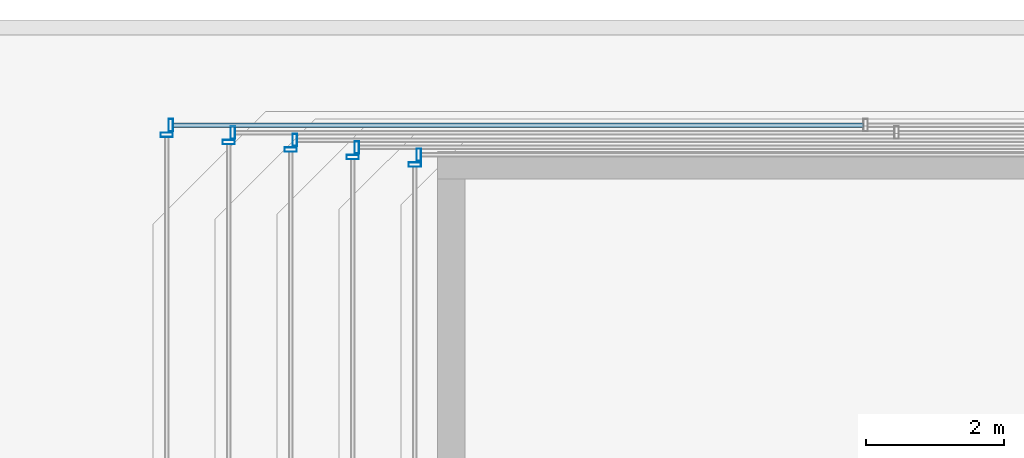
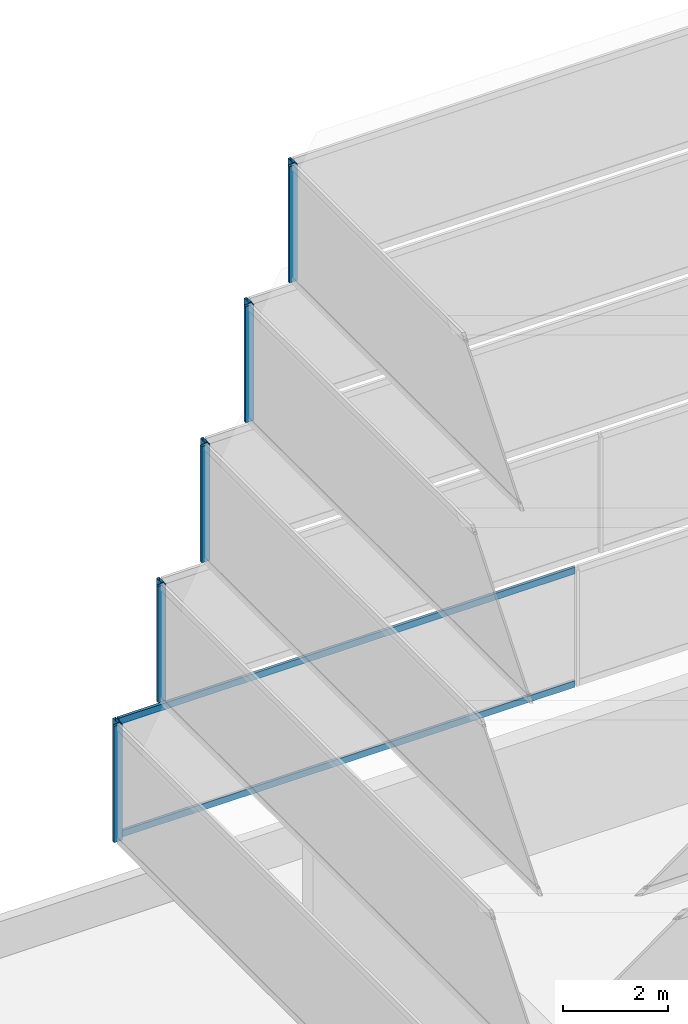
# One storey, part 12 of 29: 12 members, 10 elements without a shape of their own.
"""IFC4 building model written with IfcOpenShell, lengths in metres."""

from ifc_helpers import new_model, si_unit, direction, frame, origin, origin_2d, place, context, subcontext, project, spatial, hollow_rectangle, extrude, material, material_profile, profile_set, type_object, element, aggregate, save


model = new_model("IFC4")

# Units and contexts
model_context = context("Model", 3, precision=1e-05, world=origin(), true_north=direction((0.0, 1.0)))
body_context = subcontext(model_context, "Body", "Model", "MODEL_VIEW")
ifc_project = project(units=[si_unit("LENGTHUNIT", "METRE"), si_unit("AREAUNIT", "SQUARE_METRE"), si_unit("VOLUMEUNIT", "CUBIC_METRE"), si_unit("PLANEANGLEUNIT", "RADIAN"), si_unit("MASSUNIT", "GRAM", prefix="KILO")], contexts=[model_context])

# Site, building, storey
site_placement = place(None, origin())
site = spatial("IfcSite", under=ifc_project, at=site_placement, CompositionType="ELEMENT")
building_placement = place(site_placement, origin())
building = spatial("IfcBuilding", under=site, at=building_placement, Name="Saevonmaru Cultural Tower", CompositionType="ELEMENT")
storey_placement = place(building_placement, frame((0.0, 0.0, 327.60009765625)))
storey = spatial("IfcBuildingStorey", under=building, at=storey_placement, Name="RF", CompositionType="ELEMENT", Elevation=327.60009765625)

# Curtain wall, member
ifc_material = material(Name="Satin Bronze Anodised Aluminium", Category="aluminium")
curtain_wall_type = type_object("IfcCurtainWallType", Name="CW-TYP-B", PredefinedType="NOTDEFINED", material=ifc_material)
curtain_wall_1_placement = place(storey_placement, origin())
curtain_wall_1 = element("IfcCurtainWall", 1, at=curtain_wall_1_placement, inside=storey, type_object=curtain_wall_type, Name="RF Ziggurat Crown Tier 2 Bronze Louvre Screen 3", PredefinedType="NOTDEFINED")
ifc_material_profile_1 = material_profile(ifc_material, hollow_rectangle(XDim=0.06494140625, YDim=0.179931640625, WallThickness=0.00390625, at=origin_2d()), Name="ALU-MULL-180x65x4")
ifc_profile_set_1 = profile_set([ifc_material_profile_1], Name="Satin Bronze Anodised Aluminium")
member_type_1 = type_object("IfcMemberType", Name="ML-CW-180x65", PredefinedType="MULLION", material=ifc_profile_set_1)
member_1_placement = place(storey_placement, frame((9.8330078125, 54.583984375, 3.0), z_axis=(0.0, 0.0, 1.0), x_axis=(-1.0, 0.0, 0.0)))
member_1 = element("IfcMember", 2, at=member_1_placement, type_object=member_type_1, Name="CW-CROWN-T2-3 mullion 5", PredefinedType="MULLION", context=body_context, shape_type="SweptSolid", body=[
    extrude(hollow_rectangle(XDim=0.06494140625, YDim=0.179931640625, WallThickness=0.00390625, at=origin_2d()), origin(), (0.0, 0.0, 1.0), 2.699951171875),
])

curtain_wall_2_placement = place(storey_placement, origin())
curtain_wall_2 = element("IfcCurtainWall", 3, at=curtain_wall_2_placement, inside=storey, type_object=curtain_wall_type, Name="RF Ziggurat Crown Tier 2 Bronze Louvre Screen 4", PredefinedType="NOTDEFINED")
member_2_placement = place(storey_placement, frame((9.77294921875, 54.444091796875, 3.0), z_axis=(0.0, 0.0, 1.0), x_axis=(0.0, -1.0, 0.0)))
member_2 = element("IfcMember", 4, at=member_2_placement, type_object=member_type_1, Name="CW-CROWN-T2-4 mullion 1", PredefinedType="MULLION", context=body_context, shape_type="SweptSolid", body=[
    extrude(hollow_rectangle(XDim=0.06494140625, YDim=0.179931640625, WallThickness=0.00390625, at=origin_2d()), origin(), (0.0, 0.0, 1.0), 2.699951171875),
])
aggregate(curtain_wall_2, [member_2])

curtain_wall_3_placement = place(storey_placement, origin())
curtain_wall_3 = element("IfcCurtainWall", 5, at=curtain_wall_3_placement, inside=storey, type_object=curtain_wall_type, Name="RF Ziggurat Crown Tier 3 Bronze Louvre Screen 3", PredefinedType="NOTDEFINED")
member_3_placement = place(storey_placement, frame((10.73291015625, 54.47607421875, 6.0), z_axis=(0.0, 0.0, 1.0), x_axis=(-1.0, 0.0, 0.0)))
member_3 = element("IfcMember", 6, at=member_3_placement, type_object=member_type_1, Name="CW-CROWN-T3-3 mullion 5", PredefinedType="MULLION", context=body_context, shape_type="SweptSolid", body=[
    extrude(hollow_rectangle(XDim=0.06494140625, YDim=0.179931640625, WallThickness=0.00390625, at=origin_2d()), origin(), (0.0, 0.0, 1.0), 2.699951171875),
])
aggregate(curtain_wall_3, [member_3])

curtain_wall_4_placement = place(storey_placement, origin())
curtain_wall_4 = element("IfcCurtainWall", 7, at=curtain_wall_4_placement, inside=storey, type_object=curtain_wall_type, Name="RF Ziggurat Crown Tier 3 Bronze Louvre Screen 4", PredefinedType="NOTDEFINED")
member_4_placement = place(storey_placement, frame((10.673095703125, 54.3359375, 6.0), z_axis=(0.0, 0.0, 1.0), x_axis=(0.0, -1.0, 0.0)))
member_4 = element("IfcMember", 8, at=member_4_placement, type_object=member_type_1, Name="CW-CROWN-T3-4 mullion 1", PredefinedType="MULLION", context=body_context, shape_type="SweptSolid", body=[
    extrude(hollow_rectangle(XDim=0.06494140625, YDim=0.179931640625, WallThickness=0.00390625, at=origin_2d()), origin(), (0.0, 0.0, 1.0), 2.699951171875),
])
aggregate(curtain_wall_4, [member_4])

curtain_wall_5_placement = place(storey_placement, origin())
curtain_wall_5 = element("IfcCurtainWall", 9, at=curtain_wall_5_placement, inside=storey, type_object=curtain_wall_type, Name="RF Ziggurat Crown Tier 4 Bronze Louvre Screen 3", PredefinedType="NOTDEFINED")
member_5_placement = place(storey_placement, frame((11.633056640625, 54.367919921875, 9.0), z_axis=(0.0, 0.0, 1.0), x_axis=(-1.0, 0.0, 0.0)))
member_5 = element("IfcMember", 10, at=member_5_placement, type_object=member_type_1, Name="CW-CROWN-T4-3 mullion 4", PredefinedType="MULLION", context=body_context, shape_type="SweptSolid", body=[
    extrude(hollow_rectangle(XDim=0.06494140625, YDim=0.179931640625, WallThickness=0.00390625, at=origin_2d()), origin(), (0.0, 0.0, 1.0), 2.699951171875),
])
aggregate(curtain_wall_5, [member_5])

curtain_wall_6_placement = place(storey_placement, origin())
curtain_wall_6 = element("IfcCurtainWall", 11, at=curtain_wall_6_placement, inside=storey, type_object=curtain_wall_type, Name="RF Ziggurat Crown Tier 4 Bronze Louvre Screen 4", PredefinedType="NOTDEFINED")
member_6_placement = place(storey_placement, frame((11.572998046875, 54.22802734375, 9.0), z_axis=(0.0, 0.0, 1.0), x_axis=(0.0, -1.0, 0.0)))
member_6 = element("IfcMember", 12, at=member_6_placement, type_object=member_type_1, Name="CW-CROWN-T4-4 mullion 1", PredefinedType="MULLION", context=body_context, shape_type="SweptSolid", body=[
    extrude(hollow_rectangle(XDim=0.06494140625, YDim=0.179931640625, WallThickness=0.00390625, at=origin_2d()), origin(), (0.0, 0.0, 1.0), 2.699951171875),
])
aggregate(curtain_wall_6, [member_6])

curtain_wall_7_placement = place(storey_placement, origin())
curtain_wall_7 = element("IfcCurtainWall", 13, at=curtain_wall_7_placement, inside=storey, type_object=curtain_wall_type, Name="RF Ziggurat Crown Tier 5 Bronze Louvre Screen 3", PredefinedType="NOTDEFINED")
member_7_placement = place(storey_placement, frame((12.532958984375, 54.260009765625, 12.0), z_axis=(0.0, 0.0, 1.0), x_axis=(-1.0, 0.0, 0.0)))
member_7 = element("IfcMember", 14, at=member_7_placement, type_object=member_type_1, Name="CW-CROWN-T5-3 mullion 4", PredefinedType="MULLION", context=body_context, shape_type="SweptSolid", body=[
    extrude(hollow_rectangle(XDim=0.06494140625, YDim=0.179931640625, WallThickness=0.00390625, at=origin_2d()), origin(), (0.0, 0.0, 1.0), 2.699951171875),
])
aggregate(curtain_wall_7, [member_7])

curtain_wall_8_placement = place(storey_placement, origin())
curtain_wall_8 = element("IfcCurtainWall", 15, at=curtain_wall_8_placement, inside=storey, type_object=curtain_wall_type, Name="RF Ziggurat Crown Tier 5 Bronze Louvre Screen 4", PredefinedType="NOTDEFINED")
member_8_placement = place(storey_placement, frame((12.472900390625, 54.1201171875, 12.0), z_axis=(0.0, 0.0, 1.0), x_axis=(0.0, -1.0, 0.0)))
member_8 = element("IfcMember", 16, at=member_8_placement, type_object=member_type_1, Name="CW-CROWN-T5-4 mullion 1", PredefinedType="MULLION", context=body_context, shape_type="SweptSolid", body=[
    extrude(hollow_rectangle(XDim=0.06494140625, YDim=0.179931640625, WallThickness=0.00390625, at=origin_2d()), origin(), (0.0, 0.0, 1.0), 2.699951171875),
])
aggregate(curtain_wall_8, [member_8])

curtain_wall_9_placement = place(storey_placement, origin())
curtain_wall_9 = element("IfcCurtainWall", 17, at=curtain_wall_9_placement, inside=storey, type_object=curtain_wall_type, Name="RF Ziggurat Crown Tier 6 Bronze Louvre Screen 3", PredefinedType="NOTDEFINED")
member_9_placement = place(storey_placement, frame((13.43310546875, 54.152099609375, 15.0), z_axis=(0.0, 0.0, 1.0), x_axis=(-1.0, 0.0, 0.0)))
member_9 = element("IfcMember", 18, at=member_9_placement, type_object=member_type_1, Name="CW-CROWN-T6-3 mullion 4", PredefinedType="MULLION", context=body_context, shape_type="SweptSolid", body=[
    extrude(hollow_rectangle(XDim=0.06494140625, YDim=0.179931640625, WallThickness=0.00390625, at=origin_2d()), origin(), (0.0, 0.0, 1.0), 2.699951171875),
])
aggregate(curtain_wall_9, [member_9])

curtain_wall_10_placement = place(storey_placement, origin())
curtain_wall_10 = element("IfcCurtainWall", 19, at=curtain_wall_10_placement, inside=storey, type_object=curtain_wall_type, Name="RF Ziggurat Crown Tier 6 Bronze Louvre Screen 4", PredefinedType="NOTDEFINED")
member_10_placement = place(storey_placement, frame((13.373046875, 54.011962890625, 15.0), z_axis=(0.0, 0.0, 1.0), x_axis=(0.0, -1.0, 0.0)))
member_10 = element("IfcMember", 20, at=member_10_placement, type_object=member_type_1, Name="CW-CROWN-T6-4 mullion 1", PredefinedType="MULLION", context=body_context, shape_type="SweptSolid", body=[
    extrude(hollow_rectangle(XDim=0.06494140625, YDim=0.179931640625, WallThickness=0.00390625, at=origin_2d()), origin(), (0.0, 0.0, 1.0), 2.699951171875),
])
aggregate(curtain_wall_10, [member_10])

# Member
ifc_material_profile_2 = material_profile(ifc_material, hollow_rectangle(XDim=0.06494140625, YDim=0.14990234375, WallThickness=0.00390625, at=origin_2d()), Name="ALU-TRAN-150x65x4")
ifc_profile_set_2 = profile_set([ifc_material_profile_2], Name="Satin Bronze Anodised Aluminium")
member_type_2 = type_object("IfcMemberType", Name="TR-CW-150x65", PredefinedType="USERDEFINED", material=ifc_profile_set_2)
member_11_placement = place(storey_placement, frame((19.884033203125, 54.583984375, 3.032470703125), z_axis=(-1.0, 0.0, 0.0), x_axis=(0.0, -1.0, 0.0)))
member_11 = element("IfcMember", 21, at=member_11_placement, type_object=member_type_2, Name="CW-CROWN-T2-3 transom 4.1", ObjectType="TRANSOM", PredefinedType="USERDEFINED", context=body_context, shape_type="SweptSolid", body=[
    extrude(hollow_rectangle(XDim=0.06494140625, YDim=0.14990234375, WallThickness=0.00390625, at=origin_2d()), origin(), (0.0, 0.0, 1.0), 10.0185546875),
])

member_12_placement = place(storey_placement, frame((19.884033203125, 54.583984375, 5.66748046875), z_axis=(-1.0, 0.0, 0.0), x_axis=(0.0, -1.0, 0.0)))
member_12 = element("IfcMember", 22, at=member_12_placement, type_object=member_type_2, Name="CW-CROWN-T2-3 transom 4.2", ObjectType="TRANSOM", PredefinedType="USERDEFINED", context=body_context, shape_type="SweptSolid", body=[
    extrude(hollow_rectangle(XDim=0.06494140625, YDim=0.14990234375, WallThickness=0.00390625, at=origin_2d()), origin(), (0.0, 0.0, 1.0), 10.0185546875),
])

aggregate(curtain_wall_1, [member_1, member_11, member_12])

save(model, "model.ifc")
